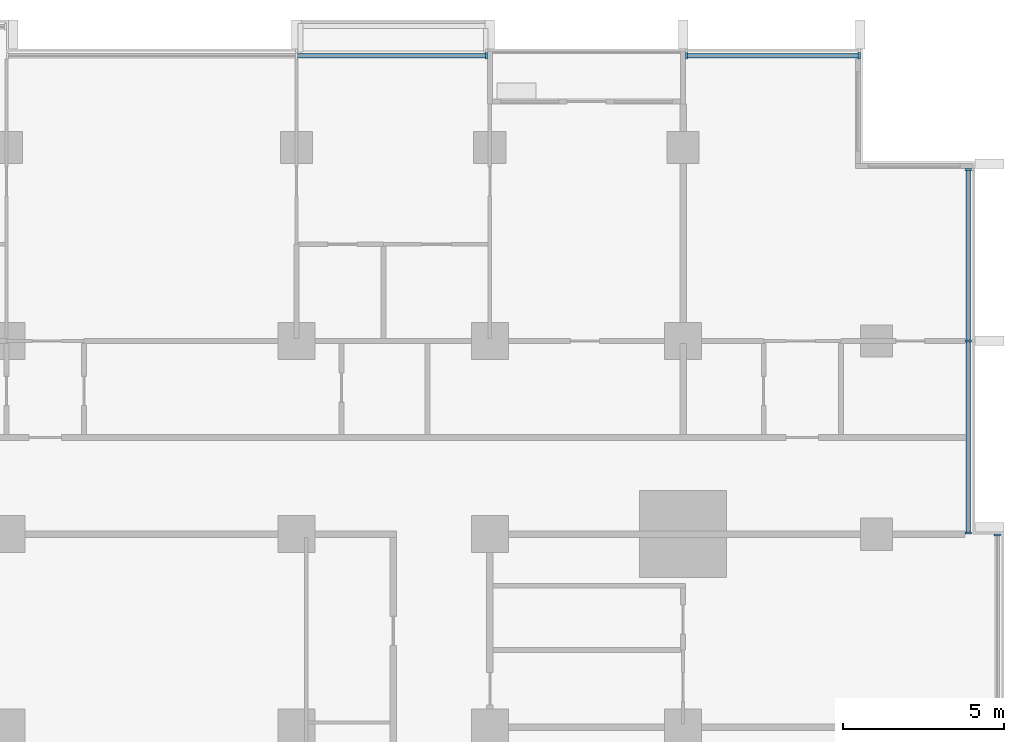
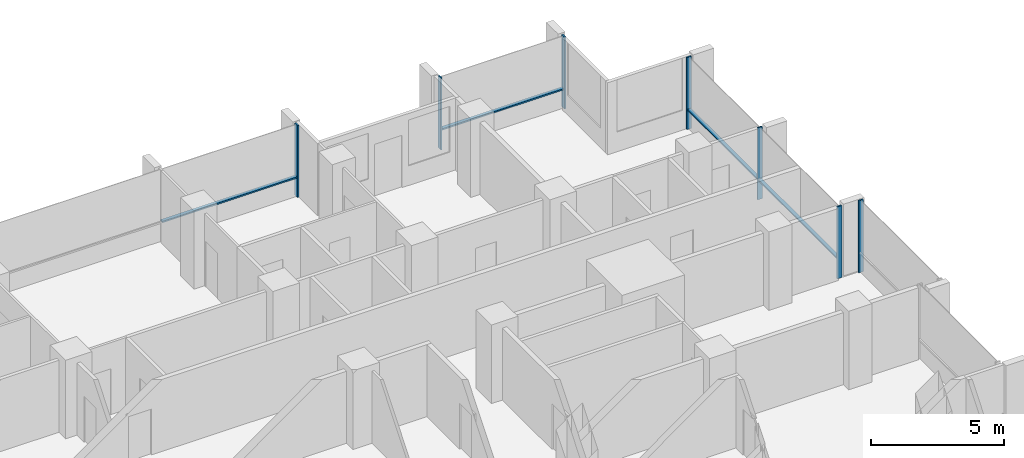
# One storey, part 5 of 17: 11 members, 4 elements without a shape of their own.
"""IFC4 building model written with IfcOpenShell, lengths in metres."""

from ifc_helpers import new_model, si_unit, direction, frame, origin, origin_2d, place, context, subcontext, project, spatial, rectangle, extrude, material, material_profile, profile_set, type_object, element, aggregate, save


model = new_model("IFC4")

# Units and contexts
model_context = context("Model", 3, precision=1e-05, world=origin(), true_north=direction((0.0, 1.0)))
body_context = subcontext(model_context, "Body", "Model", "MODEL_VIEW")
ifc_project = project(units=[si_unit("LENGTHUNIT", "METRE"), si_unit("AREAUNIT", "SQUARE_METRE"), si_unit("VOLUMEUNIT", "CUBIC_METRE"), si_unit("PLANEANGLEUNIT", "RADIAN"), si_unit("MASSUNIT", "GRAM", prefix="KILO")], contexts=[model_context])

# Site, building, storey
site_placement = place(None, origin())
site = spatial("IfcSite", under=ifc_project, at=site_placement, CompositionType="ELEMENT")
building_placement = place(site_placement, origin())
building = spatial("IfcBuilding", under=site, at=building_placement, Name="Finial Court Residences", CompositionType="ELEMENT")
storey_placement = place(building_placement, frame((0.0, 0.0, 102.699951171875)))
storey = spatial("IfcBuildingStorey", under=building, at=storey_placement, Name="L25", CompositionType="ELEMENT", Elevation=102.699951171875)

# Curtain wall, member
ifc_material = material(Name="Bronze anodised aluminium", Category="aluminium")
curtain_wall_type = type_object("IfcCurtainWallType", Name="Unitised curtain wall, lower and middle zones", PredefinedType="NOTDEFINED", material=ifc_material)
curtain_wall_1_placement = place(storey_placement, origin())
curtain_wall_1 = element("IfcCurtainWall", 1, at=curtain_wall_1_placement, inside=storey, type_object=curtain_wall_type, Name="E-L25-CW-N3", PredefinedType="NOTDEFINED")
ifc_material_profile_1 = material_profile(ifc_material, rectangle(XDim=0.199951171875, YDim=0.06494140625, at=origin_2d()), Name="CW1 mullion 65 x 200")
ifc_profile_set_1 = profile_set([ifc_material_profile_1], Name="Bronze anodised aluminium")
member_type_1 = type_object("IfcMemberType", Name="CW1 mullion 65 x 200", PredefinedType="MULLION", material=ifc_profile_set_1)
member_1_placement = place(storey_placement, frame((10.392578125, 22.35009765625, 0.0), z_axis=(0.0, 0.0, 1.0), x_axis=(0.0, 1.0, 0.0)))
member_1 = element("IfcMember", 2, at=member_1_placement, type_object=member_type_1, Name="CW1 mullion 3", PredefinedType="MULLION", context=body_context, shape_type="SweptSolid", body=[
    extrude(rectangle(XDim=0.199951171875, YDim=0.06494140625, at=origin_2d()), origin(), (0.0, 0.0, 1.0), 3.300048828125),
])

# Curtain wall, members
curtain_wall_2_placement = place(storey_placement, origin())
curtain_wall_2 = element("IfcCurtainWall", 3, at=curtain_wall_2_placement, inside=storey, type_object=curtain_wall_type, Name="E-L25-CW-N4", PredefinedType="NOTDEFINED")
member_2_placement = place(storey_placement, frame((16.607421875, 22.35009765625, 0.0), z_axis=(0.0, 0.0, 1.0), x_axis=(0.0, 1.0, 0.0)))
member_2 = element("IfcMember", 4, at=member_2_placement, type_object=member_type_1, Name="CW1 mullion 1", PredefinedType="MULLION", context=body_context, shape_type="SweptSolid", body=[
    extrude(rectangle(XDim=0.199951171875, YDim=0.06494140625, at=origin_2d()), origin(), (0.0, 0.0, 1.0), 3.300048828125),
])
member_3_placement = place(storey_placement, frame((21.967529296875, 22.35009765625, 0.0), z_axis=(0.0, 0.0, 1.0), x_axis=(0.0, 1.0, 0.0)))
member_3 = element("IfcMember", 5, at=member_3_placement, type_object=member_type_1, Name="CW1 mullion 2", PredefinedType="MULLION", context=body_context, shape_type="SweptSolid", body=[
    extrude(rectangle(XDim=0.199951171875, YDim=0.06494140625, at=origin_2d()), origin(), (0.0, 0.0, 1.0), 3.300048828125),
])

# Curtain wall, member
curtain_wall_3_placement = place(storey_placement, origin())
curtain_wall_3 = element("IfcCurtainWall", 6, at=curtain_wall_3_placement, inside=storey, type_object=curtain_wall_type, Name="E-L25-CW-E7", PredefinedType="NOTDEFINED")
member_4_placement = place(storey_placement, frame((26.25, 7.467529296875, 0.0), z_axis=(0.0, 0.0, 1.0), x_axis=(-1.0, 0.0, 0.0)))
member_4 = element("IfcMember", 7, at=member_4_placement, type_object=member_type_1, Name="CW1 mullion 2", PredefinedType="MULLION", context=body_context, shape_type="SweptSolid", body=[
    extrude(rectangle(XDim=0.199951171875, YDim=0.06494140625, at=origin_2d()), origin(), (0.0, 0.0, 1.0), 3.300048828125),
])
aggregate(curtain_wall_3, [member_4])

# Curtain wall, members
curtain_wall_4_placement = place(storey_placement, origin())
curtain_wall_4 = element("IfcCurtainWall", 8, at=curtain_wall_4_placement, inside=storey, type_object=curtain_wall_type, Name="E-L25-CW-E8", PredefinedType="NOTDEFINED")
member_5_placement = place(storey_placement, frame((25.35009765625, 7.532470703125, 0.0), z_axis=(0.0, 0.0, 1.0), x_axis=(-1.0, 0.0, 0.0)))
member_5 = element("IfcMember", 9, at=member_5_placement, type_object=member_type_1, Name="CW1 mullion 1", PredefinedType="MULLION", context=body_context, shape_type="SweptSolid", body=[
    extrude(rectangle(XDim=0.199951171875, YDim=0.06494140625, at=origin_2d()), origin(), (0.0, 0.0, 1.0), 3.300048828125),
])
member_6_placement = place(storey_placement, frame((25.35009765625, 13.5, 0.0), z_axis=(0.0, 0.0, 1.0), x_axis=(-1.0, 0.0, 0.0)))
member_6 = element("IfcMember", 10, at=member_6_placement, type_object=member_type_1, Name="CW1 mullion 2", PredefinedType="MULLION", context=body_context, shape_type="SweptSolid", body=[
    extrude(rectangle(XDim=0.199951171875, YDim=0.06494140625, at=origin_2d()), origin(), (0.0, 0.0, 1.0), 3.300048828125),
])
member_7_placement = place(storey_placement, frame((25.35009765625, 18.8173828125, 0.0), z_axis=(0.0, 0.0, 1.0), x_axis=(-1.0, 0.0, 0.0)))
member_7 = element("IfcMember", 11, at=member_7_placement, type_object=member_type_1, Name="CW1 mullion 3", PredefinedType="MULLION", context=body_context, shape_type="SweptSolid", body=[
    extrude(rectangle(XDim=0.199951171875, YDim=0.06494140625, at=origin_2d()), origin(), (0.0, 0.0, 1.0), 3.300048828125),
])

# Member
ifc_material_profile_2 = material_profile(ifc_material, rectangle(XDim=0.14990234375, YDim=0.06494140625, at=origin_2d()), Name="CW1 transom 65 x 150")
ifc_profile_set_2 = profile_set([ifc_material_profile_2], Name="Bronze anodised aluminium")
member_type_2 = type_object("IfcMemberType", Name="CW1 transom 65 x 150", PredefinedType="USERDEFINED", material=ifc_profile_set_2)
member_8_placement = place(storey_placement, frame((4.532470703125, 22.35009765625, 0.900146484375), z_axis=(1.0, 0.0, 0.0), x_axis=(0.0, 1.0, 0.0)))
member_8 = element("IfcMember", 12, at=member_8_placement, type_object=member_type_2, Name="CW1 transom 2.1", ObjectType="TRANSOM", PredefinedType="USERDEFINED", context=body_context, shape_type="SweptSolid", body=[
    extrude(rectangle(XDim=0.14990234375, YDim=0.06494140625, at=origin_2d()), origin(), (0.0, 0.0, 1.0), 5.82763671875),
])

aggregate(curtain_wall_1, [member_1, member_8])

member_9_placement = place(storey_placement, frame((16.639892578125, 22.35009765625, 0.900146484375), z_axis=(1.0, 0.0, 0.0), x_axis=(0.0, 1.0, 0.0)))
member_9 = element("IfcMember", 13, at=member_9_placement, type_object=member_type_2, Name="CW1 transom 1.1", ObjectType="TRANSOM", PredefinedType="USERDEFINED", context=body_context, shape_type="SweptSolid", body=[
    extrude(rectangle(XDim=0.14990234375, YDim=0.06494140625, at=origin_2d()), origin(), (0.0, 0.0, 1.0), 5.295166015625),
])

aggregate(curtain_wall_2, [member_2, member_3, member_9])

member_10_placement = place(storey_placement, frame((25.35009765625, 7.56494140625, 0.900146484375), z_axis=(0.0, 1.0, 0.0), x_axis=(-1.0, 0.0, 0.0)))
member_10 = element("IfcMember", 14, at=member_10_placement, type_object=member_type_2, Name="CW1 transom 1.1", ObjectType="TRANSOM", PredefinedType="USERDEFINED", context=body_context, shape_type="SweptSolid", body=[
    extrude(rectangle(XDim=0.14990234375, YDim=0.06494140625, at=origin_2d()), origin(), (0.0, 0.0, 1.0), 5.902587890625),
])

member_11_placement = place(storey_placement, frame((25.35009765625, 13.532470703125, 0.900146484375), z_axis=(0.0, 1.0, 0.0), x_axis=(-1.0, 0.0, 0.0)))
member_11 = element("IfcMember", 15, at=member_11_placement, type_object=member_type_2, Name="CW1 transom 2.1", ObjectType="TRANSOM", PredefinedType="USERDEFINED", context=body_context, shape_type="SweptSolid", body=[
    extrude(rectangle(XDim=0.14990234375, YDim=0.06494140625, at=origin_2d()), origin(), (0.0, 0.0, 1.0), 5.25244140625),
])

aggregate(curtain_wall_4, [member_5, member_6, member_7, member_10, member_11])

save(model, "model.ifc")
